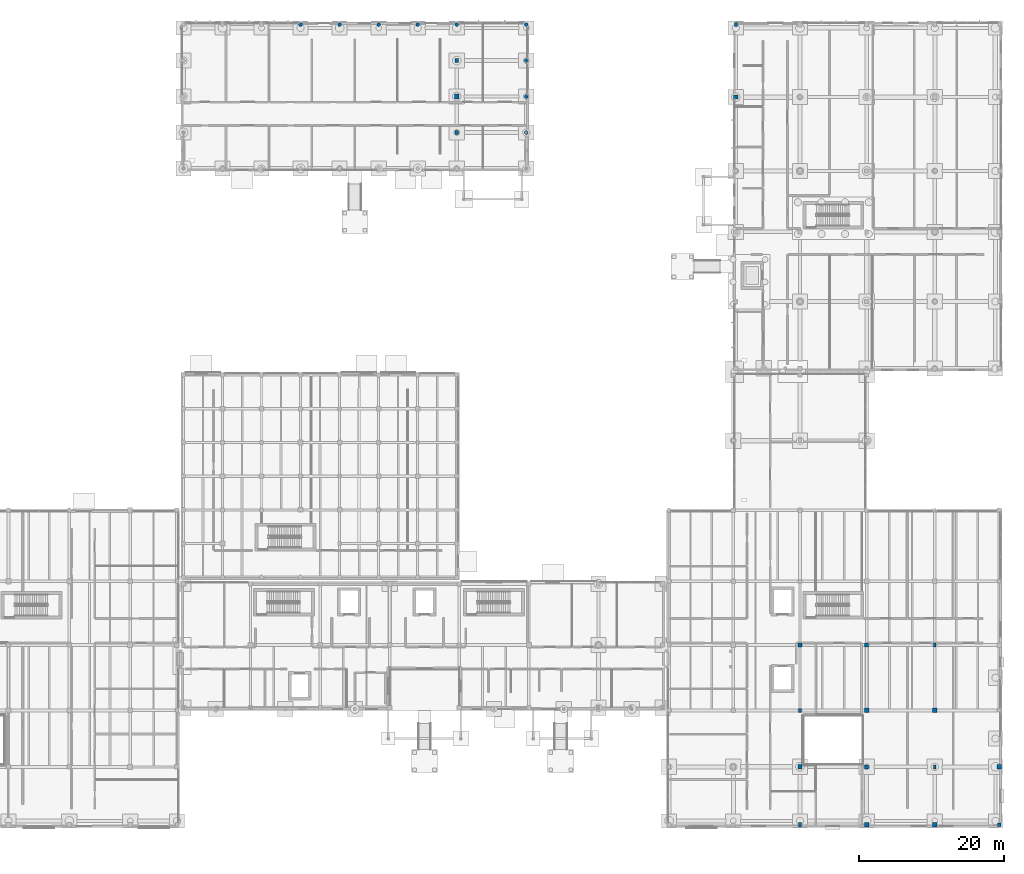
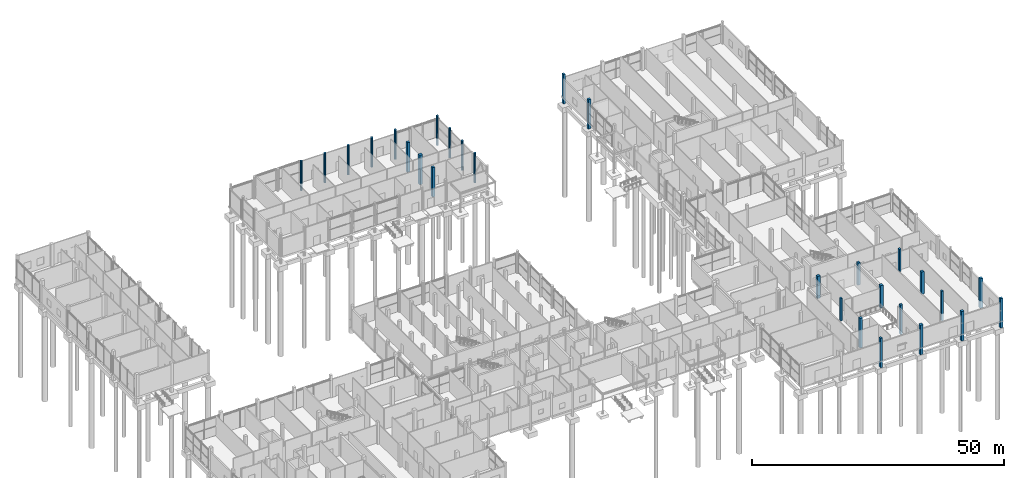
# One storey, part 14 of 88: 28 columns.
"""IFC4 building model written with IfcOpenShell, lengths in metres."""

from ifc_helpers import new_model, si_unit, direction, frame, origin, origin_2d, place, context, subcontext, project, spatial, rectangle, circle, extrude, material, material_profile, profile_set, type_object, element, save


model = new_model("IFC4")

# Units and contexts
model_context = context("Model", 3, precision=1e-05, world=origin(), true_north=direction((0.0, 1.0)))
body_context = subcontext(model_context, "Body", "Model", "MODEL_VIEW")
ifc_project = project(units=[si_unit("LENGTHUNIT", "METRE"), si_unit("AREAUNIT", "SQUARE_METRE"), si_unit("VOLUMEUNIT", "CUBIC_METRE"), si_unit("PLANEANGLEUNIT", "RADIAN"), si_unit("MASSUNIT", "GRAM", prefix="KILO")], contexts=[model_context])

# Site, building, storey
site_placement = place(None, origin())
site = spatial("IfcSite", under=ifc_project, at=site_placement, CompositionType="ELEMENT")
building_placement = place(site_placement, origin())
building = spatial("IfcBuilding", under=site, at=building_placement, Name="Birchvale Park Specialist Clinic", CompositionType="ELEMENT")
storey_placement = place(building_placement, origin())
storey = spatial("IfcBuildingStorey", under=building, at=storey_placement, Name="L00", CompositionType="ELEMENT", Elevation=0.0)

# Columns
ifc_material = material(Name="Concrete C40/50", Category="concrete")
ifc_material_profile_1 = material_profile(ifc_material, rectangle(XDim=0.6298828125, YDim=0.6298828125, at=origin_2d()), Name="RC-630x630")
ifc_profile_set_1 = profile_set([ifc_material_profile_1], Name="Concrete C40/50")
column_type_1 = type_object("IfcColumnType", Name="COL-EXT-C02", PredefinedType="COLUMN", material=ifc_profile_set_1)
for number, where, z_axis, x_axis, name in (
    (1, (146.39990234375, 1.0, -1.75), (0.0, 0.0, 1.0), (1.0, 0.0, 0.0), "V5 L00 column 23"),
    (2, (164.699951171875, 9.0, -1.75), (0.0, 0.0, 1.0), (1.0, 0.0, 0.0), "V5 L00 column 38"),
):
    element("IfcColumn", number, at=place(storey_placement, frame(where, z_axis=z_axis, x_axis=x_axis)), inside=storey, type_object=column_type_1, Name=name, PredefinedType="COLUMN", context=body_context, shape_type="SweptSolid", body=[
        extrude(rectangle(XDim=0.6298828125, YDim=0.6298828125, at=origin_2d()), origin(), (0.0, 0.0, 1.0), 7.14990234375),
    ])
ifc_material_profile_2 = material_profile(ifc_material, rectangle(XDim=0.580078125, YDim=0.580078125, at=origin_2d()), Name="RC-580x580")
ifc_profile_set_2 = profile_set([ifc_material_profile_2], Name="Concrete C40/50")
column_type_2 = type_object("IfcColumnType", Name="COL-EXT-C03", PredefinedType="COLUMN", material=ifc_profile_set_2)
for number, where, z_axis, x_axis, name in (
    (3, (155.800048828125, 1.0, -1.75), (0.0, 0.0, 1.0), (1.0, 0.0, 0.0), "V5 L00 column 31"),
    (4, (128.35009765625, 101.39990234375, -1.75), (0.0, 0.0, 1.0), (1.0, 0.0, 0.0), "V6 L00 column 5"),
):
    element("IfcColumn", number, at=place(storey_placement, frame(where, z_axis=z_axis, x_axis=x_axis)), inside=storey, type_object=column_type_2, Name=name, PredefinedType="COLUMN", context=body_context, shape_type="SweptSolid", body=[
        extrude(rectangle(XDim=0.580078125, YDim=0.580078125, at=origin_2d()), origin(), (0.0, 0.0, 1.0), 7.14990234375),
    ])
ifc_material_profile_3 = material_profile(ifc_material, rectangle(XDim=0.530029296875, YDim=0.530029296875, at=origin_2d()), Name="RC-530x530")
ifc_profile_set_3 = profile_set([ifc_material_profile_3], Name="Concrete C40/50")
column_type_3 = type_object("IfcColumnType", Name="COL-EXT-C04", PredefinedType="COLUMN", material=ifc_profile_set_3)
column_1_placement = place(storey_placement, frame((164.699951171875, 1.0, -1.75), z_axis=(0.0, 0.0, 1.0), x_axis=(1.0, 0.0, 0.0)))
element("IfcColumn", 5, at=column_1_placement, inside=storey, type_object=column_type_3, Name="V5 L00 column 37", PredefinedType="COLUMN", context=body_context, shape_type="SweptSolid", body=[
    extrude(rectangle(XDim=0.530029296875, YDim=0.530029296875, at=origin_2d()), origin(), (0.0, 0.0, 1.0), 7.14990234375),
])
ifc_material_profile_4 = material_profile(ifc_material, rectangle(XDim=0.419921875, YDim=0.580078125, at=origin_2d()), Name="RC-420x580")
ifc_profile_set_4 = profile_set([ifc_material_profile_4], Name="Concrete C40/50")
column_type_4 = type_object("IfcColumnType", Name="COL-EXT-C10", PredefinedType="COLUMN", material=ifc_profile_set_4)
for number, where, z_axis, x_axis, name in (
    (6, (137.199951171875, 1.0, -1.75), (0.0, 0.0, 1.0), (1.0, 0.0, 0.0), "V5 L00 column 15"),
    (7, (128.35009765625, 111.39990234375, -1.75), (0.0, 0.0, 1.0), (1.0, 0.0, 0.0), "V6 L00 column 6"),
):
    element("IfcColumn", number, at=place(storey_placement, frame(where, z_axis=z_axis, x_axis=x_axis)), inside=storey, type_object=column_type_4, Name=name, PredefinedType="COLUMN", context=body_context, shape_type="SweptSolid", body=[
        extrude(rectangle(XDim=0.419921875, YDim=0.580078125, at=origin_2d()), origin(), (0.0, 0.0, 1.0), 7.14990234375),
    ])
ifc_material_profile_5 = material_profile(ifc_material, circle(Radius=0.260009765625, at=origin_2d()), Name="RCC-520")
ifc_profile_set_5 = profile_set([ifc_material_profile_5], Name="Concrete C40/50")
column_type_5 = type_object("IfcColumnType", Name="COL-EXT-CC2", PredefinedType="COLUMN", material=ifc_profile_set_5)
for number, where, z_axis, x_axis, name in (
    (8, (68.30712890625, 111.39990234375, -1.75), (0.0, 0.0, 1.0), (1.0, 0.0, 0.0), "V3 L00 column 11"),
    (9, (73.69287109375, 111.39990234375, -1.75), (0.0, 0.0, 1.0), (1.0, 0.0, 0.0), "V3 L00 column 13"),
    (10, (79.07861328125, 111.39990234375, -1.75), (0.0, 0.0, 1.0), (1.0, 0.0, 0.0), "V3 L00 column 15"),
    (11, (84.46435546875, 111.39990234375, -1.75), (0.0, 0.0, 1.0), (1.0, 0.0, 0.0), "V3 L00 column 17"),
    (12, (89.85009765625, 111.39990234375, -1.75), (0.0, 0.0, 1.0), (1.0, 0.0, 0.0), "V3 L00 column 22"),
    (13, (99.449951171875, 96.512451171875, -1.75), (0.0, 0.0, 1.0), (1.0, 0.0, 0.0), "V3 L00 column 24"),
    (14, (99.449951171875, 101.47509765625, -1.75), (0.0, 0.0, 1.0), (1.0, 0.0, 0.0), "V3 L00 column 25"),
    (15, (99.449951171875, 106.4375, -1.75), (0.0, 0.0, 1.0), (1.0, 0.0, 0.0), "V3 L00 column 26"),
    (16, (99.449951171875, 111.39990234375, -1.75), (0.0, 0.0, 1.0), (1.0, 0.0, 0.0), "V3 L00 column 27"),
):
    element("IfcColumn", number, at=place(storey_placement, frame(where, z_axis=z_axis, x_axis=x_axis)), inside=storey, type_object=column_type_5, Name=name, PredefinedType="COLUMN", context=body_context, shape_type="SweptSolid", body=[
        extrude(circle(Radius=0.260009765625, at=origin_2d()), origin(), (0.0, 0.0, 1.0), 7.14990234375),
    ])
ifc_material_profile_6 = material_profile(ifc_material, rectangle(XDim=0.64990234375, YDim=0.64990234375, at=origin_2d()), Name="RC-650x650")
ifc_profile_set_6 = profile_set([ifc_material_profile_6], Name="Concrete C40/50")
column_type_6 = type_object("IfcColumnType", Name="COL-INT-C02", PredefinedType="COLUMN", material=ifc_profile_set_6)
column_2_placement = place(storey_placement, frame((89.85009765625, 101.47509765625, -1.75), z_axis=(0.0, 0.0, 1.0), x_axis=(1.0, 0.0, 0.0)))
element("IfcColumn", 17, at=column_2_placement, inside=storey, type_object=column_type_6, Name="V3 L00 column 20", PredefinedType="COLUMN", context=body_context, shape_type="SweptSolid", body=[
    extrude(rectangle(XDim=0.64990234375, YDim=0.64990234375, at=origin_2d()), origin(), (0.0, 0.0, 1.0), 7.14990234375),
])
column_3_placement = place(storey_placement, frame((146.39990234375, 16.800048828125, 0.0), z_axis=(0.0, 0.0, 1.0), x_axis=(1.0, 0.0, 0.0)))
element("IfcColumn", 18, at=column_3_placement, inside=storey, type_object=column_type_6, Name="V5 L00 column 25", PredefinedType="COLUMN", context=body_context, shape_type="SweptSolid", body=[
    extrude(rectangle(XDim=0.64990234375, YDim=0.64990234375, at=origin_2d()), origin(), (0.0, 0.0, 1.0), 5.39990234375),
])
ifc_material_profile_7 = material_profile(ifc_material, rectangle(XDim=0.60009765625, YDim=0.60009765625, at=origin_2d()), Name="RC-600x600")
ifc_profile_set_7 = profile_set([ifc_material_profile_7], Name="Concrete C40/50")
column_type_7 = type_object("IfcColumnType", Name="COL-INT-C03", PredefinedType="COLUMN", material=ifc_profile_set_7)
column_4_placement = place(storey_placement, frame((137.199951171875, 9.0, -1.75), z_axis=(0.0, 0.0, 1.0), x_axis=(1.0, 0.0, 0.0)))
element("IfcColumn", 19, at=column_4_placement, inside=storey, type_object=column_type_7, Name="V5 L00 column 16", PredefinedType="COLUMN", context=body_context, shape_type="SweptSolid", body=[
    extrude(rectangle(XDim=0.60009765625, YDim=0.60009765625, at=origin_2d()), origin(), (0.0, 0.0, 1.0), 7.14990234375),
])
for number, where, z_axis, x_axis, name in (
    (20, (137.199951171875, 25.800048828125, 0.0), (0.0, 0.0, 1.0), (1.0, 0.0, 0.0), "V5 L00 column 18"),
    (21, (155.800048828125, 16.800048828125, 0.0), (0.0, 0.0, 1.0), (1.0, 0.0, 0.0), "V5 L00 column 33"),
):
    element("IfcColumn", number, at=place(storey_placement, frame(where, z_axis=z_axis, x_axis=x_axis)), inside=storey, type_object=column_type_7, Name=name, PredefinedType="COLUMN", context=body_context, shape_type="SweptSolid", body=[
        extrude(rectangle(XDim=0.60009765625, YDim=0.60009765625, at=origin_2d()), origin(), (0.0, 0.0, 1.0), 5.39990234375),
    ])
ifc_material_profile_8 = material_profile(ifc_material, rectangle(XDim=0.550048828125, YDim=0.550048828125, at=origin_2d()), Name="RC-550x550")
ifc_profile_set_8 = profile_set([ifc_material_profile_8], Name="Concrete C40/50")
column_type_8 = type_object("IfcColumnType", Name="COL-INT-C04", PredefinedType="COLUMN", material=ifc_profile_set_8)
for number, where, z_axis, x_axis, name in (
    (22, (89.85009765625, 96.512451171875, -1.75), (0.0, 0.0, 1.0), (1.0, 0.0, 0.0), "V3 L00 column 19"),
    (23, (89.85009765625, 106.4375, -1.75), (0.0, 0.0, 1.0), (1.0, 0.0, 0.0), "V3 L00 column 21"),
    (24, (146.39990234375, 9.0, -1.75), (0.0, 0.0, 1.0), (1.0, 0.0, 0.0), "V5 L00 column 24"),
):
    element("IfcColumn", number, at=place(storey_placement, frame(where, z_axis=z_axis, x_axis=x_axis)), inside=storey, type_object=column_type_8, Name=name, PredefinedType="COLUMN", context=body_context, shape_type="SweptSolid", body=[
        extrude(rectangle(XDim=0.550048828125, YDim=0.550048828125, at=origin_2d()), origin(), (0.0, 0.0, 1.0), 7.14990234375),
    ])
column_5_placement = place(storey_placement, frame((146.39990234375, 25.800048828125, 0.0), z_axis=(0.0, 0.0, 1.0), x_axis=(1.0, 0.0, 0.0)))
element("IfcColumn", 25, at=column_5_placement, inside=storey, type_object=column_type_8, Name="V5 L00 column 26", PredefinedType="COLUMN", context=body_context, shape_type="SweptSolid", body=[
    extrude(rectangle(XDim=0.550048828125, YDim=0.550048828125, at=origin_2d()), origin(), (0.0, 0.0, 1.0), 5.39990234375),
])
ifc_material_profile_9 = material_profile(ifc_material, rectangle(XDim=0.39990234375, YDim=0.550048828125, at=origin_2d()), Name="RC-400x550")
ifc_profile_set_9 = profile_set([ifc_material_profile_9], Name="Concrete C40/50")
column_type_9 = type_object("IfcColumnType", Name="COL-INT-C10", PredefinedType="COLUMN", material=ifc_profile_set_9)
column_6_placement = place(storey_placement, frame((137.199951171875, 16.800048828125, 0.0), z_axis=(0.0, 0.0, 1.0), x_axis=(1.0, 0.0, 0.0)))
element("IfcColumn", 26, at=column_6_placement, inside=storey, type_object=column_type_9, Name="V5 L00 column 17", PredefinedType="COLUMN", context=body_context, shape_type="SweptSolid", body=[
    extrude(rectangle(XDim=0.39990234375, YDim=0.550048828125, at=origin_2d()), origin(), (0.0, 0.0, 1.0), 5.39990234375),
])
column_7_placement = place(storey_placement, frame((155.800048828125, 9.0, -1.75), z_axis=(0.0, 0.0, 1.0), x_axis=(1.0, 0.0, 0.0)))
element("IfcColumn", 27, at=column_7_placement, inside=storey, type_object=column_type_9, Name="V5 L00 column 32", PredefinedType="COLUMN", context=body_context, shape_type="SweptSolid", body=[
    extrude(rectangle(XDim=0.39990234375, YDim=0.550048828125, at=origin_2d()), origin(), (0.0, 0.0, 1.0), 7.14990234375),
])
column_8_placement = place(storey_placement, frame((155.800048828125, 25.800048828125, 0.0), z_axis=(0.0, 0.0, 1.0), x_axis=(1.0, 0.0, 0.0)))
element("IfcColumn", 28, at=column_8_placement, inside=storey, type_object=column_type_9, Name="V5 L00 column 34", PredefinedType="COLUMN", context=body_context, shape_type="SweptSolid", body=[
    extrude(rectangle(XDim=0.39990234375, YDim=0.550048828125, at=origin_2d()), origin(), (0.0, 0.0, 1.0), 5.39990234375),
])

save(model, "model.ifc")
